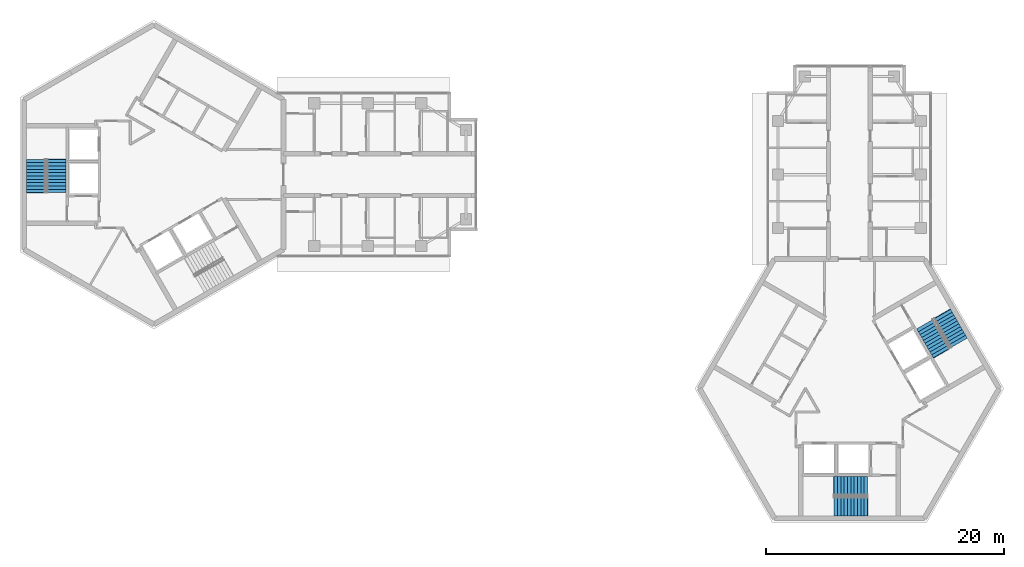
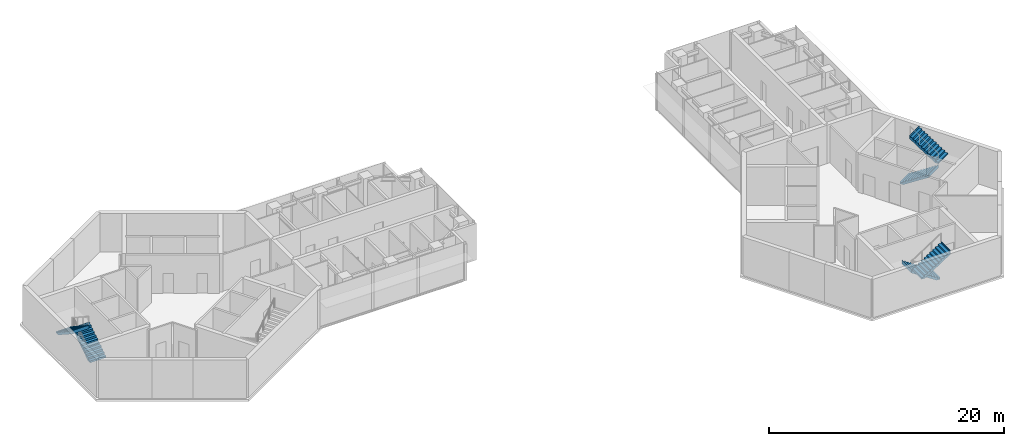
# One storey, part 10 of 11: 6 stair flights, 3 elements without a shape of their own.
"""IFC4 building model written with IfcOpenShell, lengths in metres."""

from ifc_helpers import new_model, si_unit, direction, frame, origin, place, context, subcontext, project, spatial, polyline, outline, extrude, material, type_object, element, aggregate, save


model = new_model("IFC4")

# Units and contexts
model_context = context("Model", 3, precision=1e-05, world=origin(), true_north=direction((0.0, 1.0)))
body_context = subcontext(model_context, "Body", "Model", "MODEL_VIEW")
ifc_project = project(units=[si_unit("LENGTHUNIT", "METRE"), si_unit("AREAUNIT", "SQUARE_METRE"), si_unit("VOLUMEUNIT", "CUBIC_METRE"), si_unit("PLANEANGLEUNIT", "RADIAN"), si_unit("MASSUNIT", "GRAM", prefix="KILO")], contexts=[model_context])

# Site, building, storey
site_placement = place(None, origin())
site = spatial("IfcSite", under=ifc_project, at=site_placement, CompositionType="ELEMENT")
building_placement = place(site_placement, origin())
building = spatial("IfcBuilding", under=site, at=building_placement, Name="Upepo Twin Towers", CompositionType="ELEMENT")
storey_placement = place(building_placement, frame((0.0, 0.0, 283.5)))
storey = spatial("IfcBuildingStorey", under=building, at=storey_placement, Name="L69", CompositionType="ELEMENT", Elevation=283.5)

# Stair, stair flights
ifc_material_1 = material(Name="Concrete C40/50", Category="concrete")
stair_type = type_object("IfcStairType", Name="Core stair, two flights", PredefinedType="HALF_TURN_STAIR", material=ifc_material_1)
stair_1_placement = place(storey_placement, origin())
stair_1 = element("IfcStair", 1, at=stair_1_placement, inside=storey, type_object=stair_type, Name="T1 stair S1 L69", PredefinedType="HALF_TURN_STAIR")
ifc_material_2 = material(Name="Concrete C40/50", Category="concrete")
stair_flight_type = type_object("IfcStairFlightType", Name="Stair flight 1600 RC", PredefinedType="STRAIGHT", material=ifc_material_2)
stair_flight_1_placement = place(storey_placement, frame((-8.199951171875, -1.52001953125, 0.0), z_axis=(0.0, 0.0, 1.0), x_axis=(0.0, 1.0, 0.0)))
stair_flight_1 = element("IfcStairFlight", 2, at=stair_flight_1_placement, type_object=stair_flight_type, Name="Stair S1 flight 1", NumberOfRisers=11, NumberOfTreads=10, PredefinedType="STRAIGHT", RiserHeight=0.181818182, TreadLength=0.28, context=body_context, shape_type="SweptSolid", body=[
    extrude(outline(polyline([(0.0, 0.0), (0.0, 0.181884765625), (0.280029296875, 0.181884765625), (0.280029296875, 0.363525390625), (0.56005859375, 0.363525390625), (0.56005859375, 0.54541015625), (0.840087890625, 0.54541015625), (0.840087890625, 0.727294921875), (1.1201171875, 0.727294921875), (1.1201171875, 0.9091796875), (1.39990234375, 0.9091796875), (1.39990234375, 1.0908203125), (1.679931640625, 1.0908203125), (1.679931640625, 1.272705078125), (1.9599609375, 1.272705078125), (1.9599609375, 1.45458984375), (2.239990234375, 1.45458984375), (2.239990234375, 1.636474609375), (2.52001953125, 1.636474609375), (2.52001953125, 1.818115234375), (2.800048828125, 1.818115234375), (2.800048828125, 2.0), (2.85009765625, 2.0), (2.85009765625, 1.639404296875), (0.3251953125, 0.0), (0.0, 0.0)])), frame((0.0, 0.800048828125, 0.0), z_axis=(0.0, -1.0, 0.0), x_axis=(1.0, 0.0, 0.0)), (0.0, 0.0, 1.0), 1.60009765625),
])
stair_flight_2_placement = place(storey_placement, frame((-9.908447265625, 1.280029296875, 2.0), z_axis=(0.0, 0.0, 1.0), x_axis=(0.0, -1.0, 0.0)))
stair_flight_2 = element("IfcStairFlight", 3, at=stair_flight_2_placement, type_object=stair_flight_type, Name="Stair S1 flight 2", NumberOfRisers=11, NumberOfTreads=10, PredefinedType="STRAIGHT", RiserHeight=0.181818182, TreadLength=0.28, context=body_context, shape_type="SweptSolid", body=[
    extrude(outline(polyline([(0.0, 0.0), (0.0, 0.181884765625), (0.280029296875, 0.181884765625), (0.280029296875, 0.363525390625), (0.56005859375, 0.363525390625), (0.56005859375, 0.54541015625), (0.840087890625, 0.54541015625), (0.840087890625, 0.727294921875), (1.1201171875, 0.727294921875), (1.1201171875, 0.9091796875), (1.39990234375, 0.9091796875), (1.39990234375, 1.0908203125), (1.679931640625, 1.0908203125), (1.679931640625, 1.272705078125), (1.9599609375, 1.272705078125), (1.9599609375, 1.45458984375), (2.239990234375, 1.45458984375), (2.239990234375, 1.636474609375), (2.52001953125, 1.636474609375), (2.52001953125, 1.818115234375), (2.800048828125, 1.818115234375), (2.800048828125, 2.0), (2.85009765625, 2.0), (2.85009765625, 1.639404296875), (0.3251953125, 0.0), (0.0, 0.0)])), frame((0.0, 0.800048828125, 0.0), z_axis=(0.0, -1.0, 0.0), x_axis=(1.0, 0.0, 0.0)), (0.0, 0.0, 1.0), 1.60009765625),
])
aggregate(stair_1, [stair_flight_1, stair_flight_2])

stair_2_placement = place(storey_placement, origin())
stair_2 = element("IfcStair", 4, at=stair_2_placement, inside=storey, type_object=stair_type, Name="T2 stair S1 L69", PredefinedType="HALF_TURN_STAIR")
stair_flight_3_placement = place(storey_placement, frame((60.02001953125, -26.199951171875, 0.0), z_axis=(0.0, 0.0, 1.0), x_axis=(-1.0, 0.0, 0.0)))
stair_flight_3 = element("IfcStairFlight", 5, at=stair_flight_3_placement, type_object=stair_flight_type, Name="Stair S1 flight 1", NumberOfRisers=11, NumberOfTreads=10, PredefinedType="STRAIGHT", RiserHeight=0.181818182, TreadLength=0.28, context=body_context, shape_type="SweptSolid", body=[
    extrude(outline(polyline([(0.0, 0.0), (0.0, 0.181884765625), (0.280029296875, 0.181884765625), (0.280029296875, 0.363525390625), (0.56005859375, 0.363525390625), (0.56005859375, 0.54541015625), (0.840087890625, 0.54541015625), (0.840087890625, 0.727294921875), (1.1201171875, 0.727294921875), (1.1201171875, 0.9091796875), (1.39990234375, 0.9091796875), (1.39990234375, 1.0908203125), (1.679931640625, 1.0908203125), (1.679931640625, 1.272705078125), (1.9599609375, 1.272705078125), (1.9599609375, 1.45458984375), (2.239990234375, 1.45458984375), (2.239990234375, 1.636474609375), (2.52001953125, 1.636474609375), (2.52001953125, 1.818115234375), (2.800048828125, 1.818115234375), (2.800048828125, 2.0), (2.85009765625, 2.0), (2.85009765625, 1.639404296875), (0.3251953125, 0.0), (0.0, 0.0)])), frame((0.0, 0.800048828125, 0.0), z_axis=(0.0, -1.0, 0.0), x_axis=(1.0, 0.0, 0.0)), (0.0, 0.0, 1.0), 1.60009765625),
])
stair_flight_4_placement = place(storey_placement, frame((57.219970703125, -27.908447265625, 2.0), z_axis=(0.0, 0.0, 1.0), x_axis=(1.0, 0.0, 0.0)))
stair_flight_4 = element("IfcStairFlight", 6, at=stair_flight_4_placement, type_object=stair_flight_type, Name="Stair S1 flight 2", NumberOfRisers=11, NumberOfTreads=10, PredefinedType="STRAIGHT", RiserHeight=0.181818182, TreadLength=0.28, context=body_context, shape_type="SweptSolid", body=[
    extrude(outline(polyline([(0.0, 0.0), (0.0, 0.181884765625), (0.280029296875, 0.181884765625), (0.280029296875, 0.363525390625), (0.56005859375, 0.363525390625), (0.56005859375, 0.54541015625), (0.840087890625, 0.54541015625), (0.840087890625, 0.727294921875), (1.1201171875, 0.727294921875), (1.1201171875, 0.9091796875), (1.39990234375, 0.9091796875), (1.39990234375, 1.0908203125), (1.679931640625, 1.0908203125), (1.679931640625, 1.272705078125), (1.9599609375, 1.272705078125), (1.9599609375, 1.45458984375), (2.239990234375, 1.45458984375), (2.239990234375, 1.636474609375), (2.52001953125, 1.636474609375), (2.52001953125, 1.818115234375), (2.800048828125, 1.818115234375), (2.800048828125, 2.0), (2.85009765625, 2.0), (2.85009765625, 1.639404296875), (0.3251953125, 0.0), (0.0, 0.0)])), frame((0.0, 0.800048828125, 0.0), z_axis=(0.0, -1.0, 0.0), x_axis=(1.0, 0.0, 0.0)), (0.0, 0.0, 1.0), 1.60009765625),
])
aggregate(stair_2, [stair_flight_3, stair_flight_4])

stair_3_placement = place(storey_placement, origin())
stair_3 = element("IfcStair", 7, at=stair_3_placement, inside=storey, type_object=stair_type, Name="T2 stair S2 L69", PredefinedType="HALF_TURN_STAIR")
stair_flight_5_placement = place(storey_placement, frame((64.84130859375, -12.583740234375, 0.0), z_axis=(0.0, 0.0, 1.0), x_axis=(0.5, -0.866025403784, 0.0)))
stair_flight_5 = element("IfcStairFlight", 8, at=stair_flight_5_placement, type_object=stair_flight_type, Name="Stair S2 flight 1", NumberOfRisers=11, NumberOfTreads=10, PredefinedType="STRAIGHT", RiserHeight=0.181818182, TreadLength=0.28, context=body_context, shape_type="SweptSolid", body=[
    extrude(outline(polyline([(0.0, 0.0), (0.0, 0.181884765625), (0.280029296875, 0.181884765625), (0.280029296875, 0.363525390625), (0.56005859375, 0.363525390625), (0.56005859375, 0.54541015625), (0.840087890625, 0.54541015625), (0.840087890625, 0.727294921875), (1.1201171875, 0.727294921875), (1.1201171875, 0.9091796875), (1.39990234375, 0.9091796875), (1.39990234375, 1.0908203125), (1.679931640625, 1.0908203125), (1.679931640625, 1.272705078125), (1.9599609375, 1.272705078125), (1.9599609375, 1.45458984375), (2.239990234375, 1.45458984375), (2.239990234375, 1.636474609375), (2.52001953125, 1.636474609375), (2.52001953125, 1.818115234375), (2.800048828125, 1.818115234375), (2.800048828125, 2.0), (2.85009765625, 2.0), (2.85009765625, 1.639404296875), (0.3251953125, 0.0), (0.0, 0.0)])), frame((0.0, 0.800048828125, 0.0), z_axis=(0.0, -1.0, 0.0), x_axis=(1.0, 0.0, 0.0)), (0.0, 0.0, 1.0), 1.60009765625),
])
stair_flight_6_placement = place(storey_placement, frame((67.720947265625, -14.154296875, 2.0), z_axis=(0.0, 0.0, 1.0), x_axis=(-0.5, 0.866025403784, 0.0)))
stair_flight_6 = element("IfcStairFlight", 9, at=stair_flight_6_placement, type_object=stair_flight_type, Name="Stair S2 flight 2", NumberOfRisers=11, NumberOfTreads=10, PredefinedType="STRAIGHT", RiserHeight=0.181818182, TreadLength=0.28, context=body_context, shape_type="SweptSolid", body=[
    extrude(outline(polyline([(0.0, 0.0), (0.0, 0.181884765625), (0.280029296875, 0.181884765625), (0.280029296875, 0.363525390625), (0.56005859375, 0.363525390625), (0.56005859375, 0.54541015625), (0.840087890625, 0.54541015625), (0.840087890625, 0.727294921875), (1.1201171875, 0.727294921875), (1.1201171875, 0.9091796875), (1.39990234375, 0.9091796875), (1.39990234375, 1.0908203125), (1.679931640625, 1.0908203125), (1.679931640625, 1.272705078125), (1.9599609375, 1.272705078125), (1.9599609375, 1.45458984375), (2.239990234375, 1.45458984375), (2.239990234375, 1.636474609375), (2.52001953125, 1.636474609375), (2.52001953125, 1.818115234375), (2.800048828125, 1.818115234375), (2.800048828125, 2.0), (2.85009765625, 2.0), (2.85009765625, 1.639404296875), (0.3251953125, 0.0), (0.0, 0.0)])), frame((0.0, 0.800048828125, 0.0), z_axis=(0.0, -1.0, 0.0), x_axis=(1.0, 0.0, 0.0)), (0.0, 0.0, 1.0), 1.60009765625),
])
aggregate(stair_3, [stair_flight_5, stair_flight_6])

save(model, "model.ifc")
